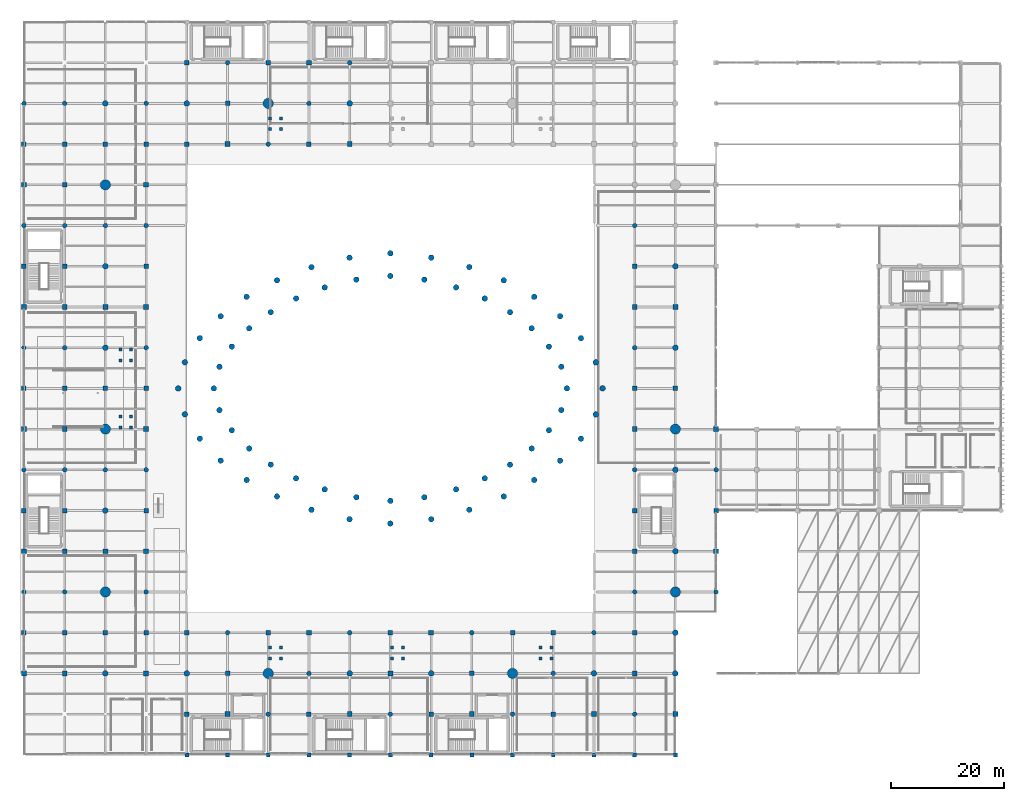
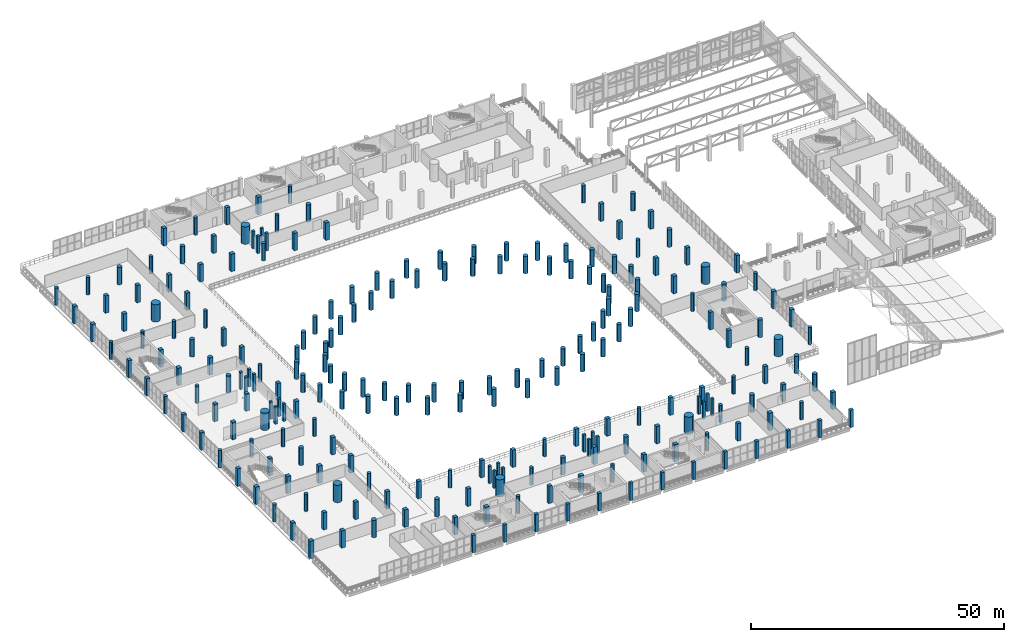
# One storey, part 1 of 153: 238 columns.
"""IFC4 building model written with IfcOpenShell, lengths in metres."""

from ifc_helpers import new_model, si_unit, direction, frame, origin, origin_2d, place, context, subcontext, project, spatial, rectangle, circle, extrude, material, material_profile, profile_set, type_object, element, save


model = new_model("IFC4")

# Units and contexts
model_context = context("Model", 3, precision=1e-05, world=origin(), true_north=direction((0.0, 1.0)))
body_context = subcontext(model_context, "Body", "Model", "MODEL_VIEW")
ifc_project = project(units=[si_unit("LENGTHUNIT", "METRE"), si_unit("AREAUNIT", "SQUARE_METRE"), si_unit("VOLUMEUNIT", "CUBIC_METRE"), si_unit("PLANEANGLEUNIT", "RADIAN"), si_unit("MASSUNIT", "GRAM", prefix="KILO")], contexts=[model_context])

# Site, building, storey
site_placement = place(None, origin())
site = spatial("IfcSite", under=ifc_project, at=site_placement, CompositionType="ELEMENT")
building_placement = place(site_placement, origin())
building = spatial("IfcBuilding", under=site, at=building_placement, Name="Qandorah Velis Arena", CompositionType="ELEMENT")
storey_placement = place(building_placement, frame((0.0, 0.0, 5.39990234375)))
storey = spatial("IfcBuildingStorey", under=building, at=storey_placement, Name="L01", CompositionType="ELEMENT", Elevation=5.39990234375)

# Columns
ifc_material_1 = material(Name="Concrete C50/60", Category="concrete")
ifc_material_profile_1 = material_profile(ifc_material_1, circle(Radius=0.89990234375, at=origin_2d()), Name="MC D1800")
ifc_profile_set_1 = profile_set([ifc_material_profile_1], Name="Concrete C50/60")
column_type_1 = type_object("IfcColumnType", Name="STR-COL-MC1800", PredefinedType="COLUMN", material=ifc_profile_set_1)
for number, where, z_axis, x_axis, name in (
    (1, (14.39990234375, 28.800048828125, 0.0), (0.0, 0.0, 1.0), (1.0, 0.0, 0.0), "Mega column MC1 (L01)"),
    (2, (14.39990234375, 57.60009765625, 0.0), (0.0, 0.0, 1.0), (1.0, 0.0, 0.0), "Mega column MC2 (L01)"),
    (3, (14.39990234375, 100.800048828125, 0.0), (0.0, 0.0, 1.0), (1.0, 0.0, 0.0), "Mega column MC3 (L01)"),
    (4, (43.199951171875, 14.39990234375, 0.0), (0.0, 0.0, 1.0), (1.0, 0.0, 0.0), "Mega column MC4 (L01)"),
    (5, (43.199951171875, 115.199951171875, 0.0), (0.0, 0.0, 1.0), (1.0, 0.0, 0.0), "Mega column MC6 (L01)"),
    (6, (86.39990234375, 14.39990234375, 0.0), (0.0, 0.0, 1.0), (1.0, 0.0, 0.0), "Mega column MC5 (L01)"),
    (7, (115.199951171875, 28.800048828125, 0.0), (0.0, 0.0, 1.0), (1.0, 0.0, 0.0), "Mega column MC8 (L01)"),
    (8, (115.199951171875, 57.60009765625, 0.0), (0.0, 0.0, 1.0), (1.0, 0.0, 0.0), "Mega column MC9 (L01)"),
):
    element("IfcColumn", number, at=place(storey_placement, frame(where, z_axis=z_axis, x_axis=x_axis)), inside=storey, type_object=column_type_1, Name=name, PredefinedType="COLUMN", context=body_context, shape_type="SweptSolid", body=[
        extrude(circle(Radius=0.89990234375, at=origin_2d()), origin(), (0.0, 0.0, 1.0), 4.2001953125),
    ])
ifc_material_2 = material(Name="Concrete C40/50", Category="concrete")
ifc_material_profile_2 = material_profile(ifc_material_2, rectangle(XDim=0.550048828125, YDim=0.550048828125, at=origin_2d()), Name="RC COL 550x550")
ifc_profile_set_2 = profile_set([ifc_material_profile_2], Name="Concrete C40/50")
column_type_2 = type_object("IfcColumnType", Name="STR-COL-RC550", PredefinedType="COLUMN", material=ifc_profile_set_2)
for number, where, z_axis, x_axis, name in (
    (9, (43.5, 17.050048828125, 0.0), (0.0, 0.0, 1.0), (1.0, 0.0, 0.0), "Vomitory VS9 L01 landing column 1"),
    (10, (45.449951171875, 17.050048828125, 0.0), (0.0, 0.0, 1.0), (1.0, 0.0, 0.0), "Vomitory VS9 L01 landing column 2"),
    (11, (43.5, 18.949951171875, 0.0), (0.0, 0.0, 1.0), (1.0, 0.0, 0.0), "Vomitory VS9 L01 landing column 3"),
    (12, (45.449951171875, 18.949951171875, 0.0), (0.0, 0.0, 1.0), (1.0, 0.0, 0.0), "Vomitory VS9 L01 landing column 4"),
    (13, (65.10009765625, 17.050048828125, 0.0), (0.0, 0.0, 1.0), (1.0, 0.0, 0.0), "Vomitory VS10 L01 landing column 1"),
    (14, (67.050048828125, 17.050048828125, 0.0), (0.0, 0.0, 1.0), (1.0, 0.0, 0.0), "Vomitory VS10 L01 landing column 2"),
    (15, (65.10009765625, 18.949951171875, 0.0), (0.0, 0.0, 1.0), (1.0, 0.0, 0.0), "Vomitory VS10 L01 landing column 3"),
    (16, (67.050048828125, 18.949951171875, 0.0), (0.0, 0.0, 1.0), (1.0, 0.0, 0.0), "Vomitory VS10 L01 landing column 4"),
    (17, (91.35009765625, 17.050048828125, 0.0), (0.0, 0.0, 1.0), (1.0, 0.0, 0.0), "Vomitory VS11 L01 landing column 1"),
    (18, (93.300048828125, 17.050048828125, 0.0), (0.0, 0.0, 1.0), (1.0, 0.0, 0.0), "Vomitory VS11 L01 landing column 2"),
    (19, (91.35009765625, 18.949951171875, 0.0), (0.0, 0.0, 1.0), (1.0, 0.0, 0.0), "Vomitory VS11 L01 landing column 3"),
    (20, (93.300048828125, 18.949951171875, 0.0), (0.0, 0.0, 1.0), (1.0, 0.0, 0.0), "Vomitory VS11 L01 landing column 4"),
    (21, (43.5, 110.64990234375, 0.0), (0.0, 0.0, 1.0), (1.0, 0.0, 0.0), "Vomitory VS12 L01 landing column 1"),
    (22, (45.449951171875, 110.64990234375, 0.0), (0.0, 0.0, 1.0), (1.0, 0.0, 0.0), "Vomitory VS12 L01 landing column 2"),
    (23, (43.5, 112.550048828125, 0.0), (0.0, 0.0, 1.0), (1.0, 0.0, 0.0), "Vomitory VS12 L01 landing column 3"),
    (24, (45.449951171875, 112.550048828125, 0.0), (0.0, 0.0, 1.0), (1.0, 0.0, 0.0), "Vomitory VS12 L01 landing column 4"),
    (25, (17.050048828125, 57.89990234375, 0.0), (0.0, 0.0, 1.0), (1.0, 0.0, 0.0), "Vomitory VS15 L01 landing column 1"),
    (26, (18.949951171875, 57.89990234375, 0.0), (0.0, 0.0, 1.0), (1.0, 0.0, 0.0), "Vomitory VS15 L01 landing column 2"),
    (27, (17.050048828125, 59.85009765625, 0.0), (0.0, 0.0, 1.0), (1.0, 0.0, 0.0), "Vomitory VS15 L01 landing column 3"),
    (28, (18.949951171875, 59.85009765625, 0.0), (0.0, 0.0, 1.0), (1.0, 0.0, 0.0), "Vomitory VS15 L01 landing column 4"),
    (29, (17.050048828125, 69.75, 0.0), (0.0, 0.0, 1.0), (1.0, 0.0, 0.0), "Vomitory VS16 L01 landing column 1"),
    (30, (18.949951171875, 69.75, 0.0), (0.0, 0.0, 1.0), (1.0, 0.0, 0.0), "Vomitory VS16 L01 landing column 2"),
    (31, (17.050048828125, 71.699951171875, 0.0), (0.0, 0.0, 1.0), (1.0, 0.0, 0.0), "Vomitory VS16 L01 landing column 3"),
    (32, (18.949951171875, 71.699951171875, 0.0), (0.0, 0.0, 1.0), (1.0, 0.0, 0.0), "Vomitory VS16 L01 landing column 4"),
):
    element("IfcColumn", number, at=place(storey_placement, frame(where, z_axis=z_axis, x_axis=x_axis)), inside=storey, type_object=column_type_2, Name=name, PredefinedType="COLUMN", context=body_context, shape_type="SweptSolid", body=[
        extrude(rectangle(XDim=0.550048828125, YDim=0.550048828125, at=origin_2d()), origin(), (0.0, 0.0, 1.0), 4.2001953125),
    ])
ifc_material_profile_3 = material_profile(ifc_material_2, rectangle(XDim=0.699951171875, YDim=0.699951171875, at=origin_2d()), Name="RC COL 700x700")
ifc_profile_set_3 = profile_set([ifc_material_profile_3], Name="Concrete C40/50")
column_type_3 = type_object("IfcColumnType", Name="STR-COL-RC700", PredefinedType="COLUMN", material=ifc_profile_set_3)
for number, where, z_axis, x_axis, name in (
    (33, (28.800048828125, 0.0, 0.0), (0.0, 0.0, 1.0), (1.0, 0.0, 0.0), "Structural column L01-060"),
    (34, (36.0, 0.0, 0.0), (0.0, 0.0, 1.0), (1.0, 0.0, 0.0), "Structural column L01-068"),
    (35, (43.199951171875, 0.0, 0.0), (0.0, 0.0, 1.0), (1.0, 0.0, 0.0), "Structural column L01-076"),
    (36, (50.39990234375, 0.0, 0.0), (0.0, 0.0, 1.0), (1.0, 0.0, 0.0), "Structural column L01-084"),
    (37, (57.60009765625, 0.0, 0.0), (0.0, 0.0, 1.0), (1.0, 0.0, 0.0), "Structural column L01-092"),
    (38, (64.800048828125, 0.0, 0.0), (0.0, 0.0, 1.0), (1.0, 0.0, 0.0), "Structural column L01-100"),
    (39, (72.0, 0.0, 0.0), (0.0, 0.0, 1.0), (1.0, 0.0, 0.0), "Structural column L01-108"),
    (40, (79.199951171875, 0.0, 0.0), (0.0, 0.0, 1.0), (1.0, 0.0, 0.0), "Structural column L01-116"),
    (41, (86.39990234375, 0.0, 0.0), (0.0, 0.0, 1.0), (1.0, 0.0, 0.0), "Structural column L01-124"),
    (42, (93.60009765625, 0.0, 0.0), (0.0, 0.0, 1.0), (1.0, 0.0, 0.0), "Structural column L01-132"),
    (43, (100.800048828125, 0.0, 0.0), (0.0, 0.0, 1.0), (1.0, 0.0, 0.0), "Structural column L01-140"),
    (44, (108.0, 0.0, 0.0), (0.0, 0.0, 1.0), (1.0, 0.0, 0.0), "Structural column L01-148"),
    (45, (115.199951171875, 0.0, 0.0), (0.0, 0.0, 1.0), (1.0, 0.0, 0.0), "Structural column L01-167"),
):
    element("IfcColumn", number, at=place(storey_placement, frame(where, z_axis=z_axis, x_axis=x_axis)), inside=storey, type_object=column_type_3, Name=name, PredefinedType="COLUMN", context=body_context, shape_type="SweptSolid", body=[
        extrude(rectangle(XDim=0.699951171875, YDim=0.699951171875, at=origin_2d()), origin(), (0.0, 0.0, 1.0), 4.2001953125),
    ])
ifc_material_profile_4 = material_profile(ifc_material_2, rectangle(XDim=0.800048828125, YDim=0.800048828125, at=origin_2d()), Name="RC COL 800x800")
ifc_profile_set_4 = profile_set([ifc_material_profile_4], Name="Concrete C40/50")
column_type_4 = type_object("IfcColumnType", Name="STR-COL-RC800", PredefinedType="COLUMN", material=ifc_profile_set_4)
for number, where, z_axis, x_axis, name in (
    (46, (0.0, 21.60009765625, 0.0), (0.0, 0.0, 1.0), (1.0, 0.0, 0.0), "Structural column L01-001"),
    (47, (0.0, 43.199951171875, 0.0), (0.0, 0.0, 1.0), (1.0, 0.0, 0.0), "Structural column L01-004"),
    (48, (0.0, 64.800048828125, 0.0), (0.0, 0.0, 1.0), (1.0, 0.0, 0.0), "Structural column L01-007"),
    (49, (0.0, 86.39990234375, 0.0), (0.0, 0.0, 1.0), (1.0, 0.0, 0.0), "Structural column L01-010"),
    (50, (0.0, 108.0, 0.0), (0.0, 0.0, 1.0), (1.0, 0.0, 0.0), "Structural column L01-013"),
    (51, (7.199951171875, 21.60009765625, 0.0), (0.0, 0.0, 1.0), (1.0, 0.0, 0.0), "Structural column L01-016"),
    (52, (7.199951171875, 43.199951171875, 0.0), (0.0, 0.0, 1.0), (1.0, 0.0, 0.0), "Structural column L01-019"),
    (53, (7.199951171875, 64.800048828125, 0.0), (0.0, 0.0, 1.0), (1.0, 0.0, 0.0), "Structural column L01-022"),
    (54, (7.199951171875, 86.39990234375, 0.0), (0.0, 0.0, 1.0), (1.0, 0.0, 0.0), "Structural column L01-025"),
    (55, (7.199951171875, 108.0, 0.0), (0.0, 0.0, 1.0), (1.0, 0.0, 0.0), "Structural column L01-028"),
    (56, (14.39990234375, 21.60009765625, 0.0), (0.0, 0.0, 1.0), (1.0, 0.0, 0.0), "Structural column L01-031"),
    (57, (14.39990234375, 64.800048828125, 0.0), (0.0, 0.0, 1.0), (1.0, 0.0, 0.0), "Structural column L01-037"),
    (58, (14.39990234375, 108.0, 0.0), (0.0, 0.0, 1.0), (1.0, 0.0, 0.0), "Structural column L01-043"),
    (59, (21.60009765625, 21.60009765625, 0.0), (0.0, 0.0, 1.0), (1.0, 0.0, 0.0), "Structural column L01-046"),
    (60, (21.60009765625, 43.199951171875, 0.0), (0.0, 0.0, 1.0), (1.0, 0.0, 0.0), "Structural column L01-049"),
    (61, (21.60009765625, 64.800048828125, 0.0), (0.0, 0.0, 1.0), (1.0, 0.0, 0.0), "Structural column L01-052"),
    (62, (21.60009765625, 86.39990234375, 0.0), (0.0, 0.0, 1.0), (1.0, 0.0, 0.0), "Structural column L01-055"),
    (63, (21.60009765625, 108.0, 0.0), (0.0, 0.0, 1.0), (1.0, 0.0, 0.0), "Structural column L01-058"),
    (64, (28.800048828125, 7.199951171875, 0.0), (0.0, 0.0, 1.0), (1.0, 0.0, 0.0), "Structural column L01-061"),
    (65, (28.800048828125, 108.0, 0.0), (0.0, 0.0, 1.0), (1.0, 0.0, 0.0), "Structural column L01-064"),
    (66, (36.0, 14.39990234375, 0.0), (0.0, 0.0, 1.0), (1.0, 0.0, 0.0), "Structural column L01-070"),
    (67, (36.0, 115.199951171875, 0.0), (0.0, 0.0, 1.0), (1.0, 0.0, 0.0), "Structural column L01-073"),
    (68, (43.199951171875, 21.60009765625, 0.0), (0.0, 0.0, 1.0), (1.0, 0.0, 0.0), "Structural column L01-079"),
    (69, (43.199951171875, 122.39990234375, 0.0), (0.0, 0.0, 1.0), (1.0, 0.0, 0.0), "Structural column L01-082"),
    (70, (50.39990234375, 7.199951171875, 0.0), (0.0, 0.0, 1.0), (1.0, 0.0, 0.0), "Structural column L01-085"),
    (71, (50.39990234375, 108.0, 0.0), (0.0, 0.0, 1.0), (1.0, 0.0, 0.0), "Structural column L01-088"),
    (72, (64.800048828125, 21.60009765625, 0.0), (0.0, 0.0, 1.0), (1.0, 0.0, 0.0), "Structural column L01-103"),
    (73, (72.0, 7.199951171875, 0.0), (0.0, 0.0, 1.0), (1.0, 0.0, 0.0), "Structural column L01-109"),
    (74, (79.199951171875, 14.39990234375, 0.0), (0.0, 0.0, 1.0), (1.0, 0.0, 0.0), "Structural column L01-118"),
    (75, (86.39990234375, 21.60009765625, 0.0), (0.0, 0.0, 1.0), (1.0, 0.0, 0.0), "Structural column L01-127"),
    (76, (93.60009765625, 7.199951171875, 0.0), (0.0, 0.0, 1.0), (1.0, 0.0, 0.0), "Structural column L01-133"),
    (77, (108.0, 21.60009765625, 0.0), (0.0, 0.0, 1.0), (1.0, 0.0, 0.0), "Structural column L01-151"),
    (78, (108.0, 43.199951171875, 0.0), (0.0, 0.0, 1.0), (1.0, 0.0, 0.0), "Structural column L01-154"),
    (79, (108.0, 64.800048828125, 0.0), (0.0, 0.0, 1.0), (1.0, 0.0, 0.0), "Structural column L01-157"),
    (80, (108.0, 86.39990234375, 0.0), (0.0, 0.0, 1.0), (1.0, 0.0, 0.0), "Structural column L01-160"),
    (81, (115.199951171875, 64.800048828125, 0.0), (0.0, 0.0, 1.0), (1.0, 0.0, 0.0), "Structural column L01-175"),
    (82, (122.39990234375, 43.199951171875, 0.0), (0.0, 0.0, 1.0), (1.0, 0.0, 0.0), "Structural column L01-187"),
):
    element("IfcColumn", number, at=place(storey_placement, frame(where, z_axis=z_axis, x_axis=x_axis)), inside=storey, type_object=column_type_4, Name=name, PredefinedType="COLUMN", context=body_context, shape_type="SweptSolid", body=[
        extrude(rectangle(XDim=0.800048828125, YDim=0.800048828125, at=origin_2d()), origin(), (0.0, 0.0, 1.0), 4.2001953125),
    ])
ifc_material_profile_5 = material_profile(ifc_material_2, rectangle(XDim=0.85009765625, YDim=0.85009765625, at=origin_2d()), Name="RC COL 850x850")
ifc_profile_set_5 = profile_set([ifc_material_profile_5], Name="Concrete C40/50")
column_type_5 = type_object("IfcColumnType", Name="STR-COL-RC850", PredefinedType="COLUMN", material=ifc_profile_set_5)
for number, where, z_axis, x_axis, name in (
    (83, (0.0, 14.39990234375, 0.0), (0.0, 0.0, 1.0), (1.0, 0.0, 0.0), "Structural column L01-000"),
    (84, (0.0, 36.0, 0.0), (0.0, 0.0, 1.0), (1.0, 0.0, 0.0), "Structural column L01-003"),
    (85, (0.0, 57.60009765625, 0.0), (0.0, 0.0, 1.0), (1.0, 0.0, 0.0), "Structural column L01-006"),
    (86, (0.0, 79.199951171875, 0.0), (0.0, 0.0, 1.0), (1.0, 0.0, 0.0), "Structural column L01-009"),
    (87, (0.0, 100.800048828125, 0.0), (0.0, 0.0, 1.0), (1.0, 0.0, 0.0), "Structural column L01-012"),
    (88, (7.199951171875, 14.39990234375, 0.0), (0.0, 0.0, 1.0), (1.0, 0.0, 0.0), "Structural column L01-015"),
    (89, (7.199951171875, 36.0, 0.0), (0.0, 0.0, 1.0), (1.0, 0.0, 0.0), "Structural column L01-018"),
    (90, (7.199951171875, 57.60009765625, 0.0), (0.0, 0.0, 1.0), (1.0, 0.0, 0.0), "Structural column L01-021"),
    (91, (7.199951171875, 79.199951171875, 0.0), (0.0, 0.0, 1.0), (1.0, 0.0, 0.0), "Structural column L01-024"),
    (92, (7.199951171875, 100.800048828125, 0.0), (0.0, 0.0, 1.0), (1.0, 0.0, 0.0), "Structural column L01-027"),
    (93, (14.39990234375, 36.0, 0.0), (0.0, 0.0, 1.0), (1.0, 0.0, 0.0), "Structural column L01-033"),
    (94, (14.39990234375, 79.199951171875, 0.0), (0.0, 0.0, 1.0), (1.0, 0.0, 0.0), "Structural column L01-039"),
    (95, (21.60009765625, 14.39990234375, 0.0), (0.0, 0.0, 1.0), (1.0, 0.0, 0.0), "Structural column L01-045"),
    (96, (21.60009765625, 36.0, 0.0), (0.0, 0.0, 1.0), (1.0, 0.0, 0.0), "Structural column L01-048"),
    (97, (21.60009765625, 57.60009765625, 0.0), (0.0, 0.0, 1.0), (1.0, 0.0, 0.0), "Structural column L01-051"),
    (98, (21.60009765625, 79.199951171875, 0.0), (0.0, 0.0, 1.0), (1.0, 0.0, 0.0), "Structural column L01-054"),
    (99, (21.60009765625, 100.800048828125, 0.0), (0.0, 0.0, 1.0), (1.0, 0.0, 0.0), "Structural column L01-057"),
    (100, (28.800048828125, 21.60009765625, 0.0), (0.0, 0.0, 1.0), (1.0, 0.0, 0.0), "Structural column L01-063"),
    (101, (28.800048828125, 122.39990234375, 0.0), (0.0, 0.0, 1.0), (1.0, 0.0, 0.0), "Structural column L01-066"),
    (102, (36.0, 7.199951171875, 0.0), (0.0, 0.0, 1.0), (1.0, 0.0, 0.0), "Structural column L01-069"),
    (103, (36.0, 108.0, 0.0), (0.0, 0.0, 1.0), (1.0, 0.0, 0.0), "Structural column L01-072"),
    (104, (50.39990234375, 21.60009765625, 0.0), (0.0, 0.0, 1.0), (1.0, 0.0, 0.0), "Structural column L01-087"),
    (105, (50.39990234375, 122.39990234375, 0.0), (0.0, 0.0, 1.0), (1.0, 0.0, 0.0), "Structural column L01-090"),
    (106, (57.60009765625, 7.199951171875, 0.0), (0.0, 0.0, 1.0), (1.0, 0.0, 0.0), "Structural column L01-093"),
    (107, (57.60009765625, 108.0, 0.0), (0.0, 0.0, 1.0), (1.0, 0.0, 0.0), "Structural column L01-096"),
    (108, (64.800048828125, 14.39990234375, 0.0), (0.0, 0.0, 1.0), (1.0, 0.0, 0.0), "Structural column L01-102"),
    (109, (72.0, 21.60009765625, 0.0), (0.0, 0.0, 1.0), (1.0, 0.0, 0.0), "Structural column L01-111"),
    (110, (79.199951171875, 7.199951171875, 0.0), (0.0, 0.0, 1.0), (1.0, 0.0, 0.0), "Structural column L01-117"),
    (111, (93.60009765625, 21.60009765625, 0.0), (0.0, 0.0, 1.0), (1.0, 0.0, 0.0), "Structural column L01-135"),
    (112, (100.800048828125, 7.199951171875, 0.0), (0.0, 0.0, 1.0), (1.0, 0.0, 0.0), "Structural column L01-141"),
    (113, (108.0, 14.39990234375, 0.0), (0.0, 0.0, 1.0), (1.0, 0.0, 0.0), "Structural column L01-150"),
    (114, (108.0, 36.0, 0.0), (0.0, 0.0, 1.0), (1.0, 0.0, 0.0), "Structural column L01-153"),
    (115, (108.0, 57.60009765625, 0.0), (0.0, 0.0, 1.0), (1.0, 0.0, 0.0), "Structural column L01-156"),
    (116, (108.0, 79.199951171875, 0.0), (0.0, 0.0, 1.0), (1.0, 0.0, 0.0), "Structural column L01-159"),
    (117, (115.199951171875, 7.199951171875, 0.0), (0.0, 0.0, 1.0), (1.0, 0.0, 0.0), "Structural column L01-168"),
    (118, (115.199951171875, 79.199951171875, 0.0), (0.0, 0.0, 1.0), (1.0, 0.0, 0.0), "Structural column L01-177"),
    (119, (122.39990234375, 36.0, 0.0), (0.0, 0.0, 1.0), (1.0, 0.0, 0.0), "Structural column L01-186"),
    (120, (122.39990234375, 57.60009765625, 0.0), (0.0, 0.0, 1.0), (1.0, 0.0, 0.0), "Structural column L01-189"),
):
    element("IfcColumn", number, at=place(storey_placement, frame(where, z_axis=z_axis, x_axis=x_axis)), inside=storey, type_object=column_type_5, Name=name, PredefinedType="COLUMN", context=body_context, shape_type="SweptSolid", body=[
        extrude(rectangle(XDim=0.85009765625, YDim=0.85009765625, at=origin_2d()), origin(), (0.0, 0.0, 1.0), 4.2001953125),
    ])
ifc_material_profile_6 = material_profile(ifc_material_2, circle(Radius=0.5, at=origin_2d()), Name="RC D1000")
ifc_profile_set_6 = profile_set([ifc_material_profile_6], Name="Concrete C40/50")
column_type_6 = type_object("IfcColumnType", Name="STR-COL-RCD1000", PredefinedType="COLUMN", material=ifc_profile_set_6)
for number, where, z_axis, x_axis, name in (
    (121, (14.39990234375, 14.39990234375, 0.0), (0.0, 0.0, 1.0), (1.0, 0.0, 0.0), "Bowl drum ring column L01-030"),
    (122, (14.39990234375, 43.199951171875, 0.0), (0.0, 0.0, 1.0), (1.0, 0.0, 0.0), "Bowl drum ring column L01-034"),
    (123, (14.39990234375, 72.0, 0.0), (0.0, 0.0, 1.0), (1.0, 0.0, 0.0), "Bowl drum ring column L01-038"),
    (124, (14.39990234375, 86.39990234375, 0.0), (0.0, 0.0, 1.0), (1.0, 0.0, 0.0), "Bowl drum ring column L01-040"),
    (125, (14.39990234375, 115.199951171875, 0.0), (0.0, 0.0, 1.0), (1.0, 0.0, 0.0), "Bowl drum ring column L01-044"),
    (126, (28.800048828125, 14.39990234375, 0.0), (0.0, 0.0, 1.0), (1.0, 0.0, 0.0), "Bowl drum ring column L01-062"),
    (127, (28.800048828125, 115.199951171875, 0.0), (0.0, 0.0, 1.0), (1.0, 0.0, 0.0), "Bowl drum ring column L01-065"),
    (128, (57.60009765625, 14.39990234375, 0.0), (0.0, 0.0, 1.0), (1.0, 0.0, 0.0), "Bowl drum ring column L01-094"),
    (129, (57.60009765625, 115.199951171875, 0.0), (0.0, 0.0, 1.0), (1.0, 0.0, 0.0), "Bowl drum ring column L01-097"),
    (130, (72.0, 14.39990234375, 0.0), (0.0, 0.0, 1.0), (1.0, 0.0, 0.0), "Bowl drum ring column L01-110"),
    (131, (100.800048828125, 14.39990234375, 0.0), (0.0, 0.0, 1.0), (1.0, 0.0, 0.0), "Bowl drum ring column L01-142"),
    (132, (115.199951171875, 14.39990234375, 0.0), (0.0, 0.0, 1.0), (1.0, 0.0, 0.0), "Bowl drum ring column L01-169"),
    (133, (115.199951171875, 21.60009765625, 0.0), (0.0, 0.0, 1.0), (1.0, 0.0, 0.0), "Bowl drum ring column L01-170"),
    (134, (115.199951171875, 36.0, 0.0), (0.0, 0.0, 1.0), (1.0, 0.0, 0.0), "Bowl drum ring column L01-172"),
    (135, (115.199951171875, 50.39990234375, 0.0), (0.0, 0.0, 1.0), (1.0, 0.0, 0.0), "Bowl drum ring column L01-173"),
    (136, (115.199951171875, 72.0, 0.0), (0.0, 0.0, 1.0), (1.0, 0.0, 0.0), "Bowl drum ring column L01-176"),
    (137, (115.199951171875, 86.39990234375, 0.0), (0.0, 0.0, 1.0), (1.0, 0.0, 0.0), "Bowl drum ring column L01-178"),
    (138, (96.02001953125, 64.800048828125, 0.0), (0.0, 0.0, 1.0), (1.0, 0.0, 0.0), "Upper raker fulcrum column L01 1.1"),
    (139, (102.320068359375, 64.800048828125, 0.0), (0.0, 0.0, 1.0), (1.0, 0.0, 0.0), "Outer bowl raker column L01 1.1"),
    (140, (95.02587890625, 68.62841796875, 0.0), (0.0, 0.0, 1.0), (1.0, 0.0, 0.0), "Upper raker fulcrum column L01 1.2"),
    (141, (101.12548828125, 69.40087890625, 0.0), (0.0, 0.0, 1.0), (1.0, 0.0, 0.0), "Outer bowl raker column L01 1.2"),
    (142, (92.840087890625, 72.195556640625, 0.0), (0.0, 0.0, 1.0), (1.0, 0.0, 0.0), "Upper raker fulcrum column L01 2.1"),
    (143, (98.498291015625, 73.68798828125, 0.0), (0.0, 0.0, 1.0), (1.0, 0.0, 0.0), "Outer bowl raker column L01 2.1"),
    (144, (89.772216796875, 75.4248046875, 0.0), (0.0, 0.0, 1.0), (1.0, 0.0, 0.0), "Upper raker fulcrum column L01 2.2"),
    (145, (94.8115234375, 77.56884765625, 0.0), (0.0, 0.0, 1.0), (1.0, 0.0, 0.0), "Outer bowl raker column L01 2.2"),
    (146, (85.959716796875, 78.2734375, 0.0), (0.0, 0.0, 1.0), (1.0, 0.0, 0.0), "Upper raker fulcrum column L01 3.1"),
    (147, (90.229736328125, 80.992431640625, 0.0), (0.0, 0.0, 1.0), (1.0, 0.0, 0.0), "Outer bowl raker column L01 3.1"),
    (148, (81.486083984375, 80.701171875, 0.0), (0.0, 0.0, 1.0), (1.0, 0.0, 0.0), "Upper raker fulcrum column L01 3.2"),
    (149, (84.85302734375, 83.909912109375, 0.0), (0.0, 0.0, 1.0), (1.0, 0.0, 0.0), "Outer bowl raker column L01 3.2"),
    (150, (76.41455078125, 82.654541015625, 0.0), (0.0, 0.0, 1.0), (1.0, 0.0, 0.0), "Upper raker fulcrum column L01 4.1"),
    (151, (78.75830078125, 86.25732421875, 0.0), (0.0, 0.0, 1.0), (1.0, 0.0, 0.0), "Outer bowl raker column L01 4.1"),
    (152, (70.812255859375, 84.04638671875, 0.0), (0.0, 0.0, 1.0), (1.0, 0.0, 0.0), "Upper raker fulcrum column L01 4.2"),
    (153, (72.025634765625, 87.930419921875, 0.0), (0.0, 0.0, 1.0), (1.0, 0.0, 0.0), "Outer bowl raker column L01 4.2"),
    (154, (64.800048828125, 84.679443359375, 0.0), (0.0, 0.0, 1.0), (1.0, 0.0, 0.0), "Upper raker fulcrum column L01 5.1"),
    (155, (64.800048828125, 88.69091796875, 0.0), (0.0, 0.0, 1.0), (1.0, 0.0, 0.0), "Outer bowl raker column L01 5.1"),
    (156, (58.78759765625, 84.04638671875, 0.0), (0.0, 0.0, 1.0), (1.0, 0.0, 0.0), "Upper raker fulcrum column L01 5.2"),
    (157, (57.574462890625, 87.930419921875, 0.0), (0.0, 0.0, 1.0), (1.0, 0.0, 0.0), "Outer bowl raker column L01 5.2"),
    (158, (53.185546875, 82.654541015625, 0.0), (0.0, 0.0, 1.0), (1.0, 0.0, 0.0), "Upper raker fulcrum column L01 6.1"),
    (159, (50.841796875, 86.25732421875, 0.0), (0.0, 0.0, 1.0), (1.0, 0.0, 0.0), "Outer bowl raker column L01 6.1"),
    (160, (48.114013671875, 80.701171875, 0.0), (0.0, 0.0, 1.0), (1.0, 0.0, 0.0), "Upper raker fulcrum column L01 6.2"),
    (161, (44.746826171875, 83.909912109375, 0.0), (0.0, 0.0, 1.0), (1.0, 0.0, 0.0), "Outer bowl raker column L01 6.2"),
    (162, (43.64013671875, 78.2734375, 0.0), (0.0, 0.0, 1.0), (1.0, 0.0, 0.0), "Upper raker fulcrum column L01 7.1"),
    (163, (39.370361328125, 80.992431640625, 0.0), (0.0, 0.0, 1.0), (1.0, 0.0, 0.0), "Outer bowl raker column L01 7.1"),
    (164, (39.82763671875, 75.4248046875, 0.0), (0.0, 0.0, 1.0), (1.0, 0.0, 0.0), "Upper raker fulcrum column L01 7.2"),
    (165, (34.788330078125, 77.56884765625, 0.0), (0.0, 0.0, 1.0), (1.0, 0.0, 0.0), "Outer bowl raker column L01 7.2"),
    (166, (36.760009765625, 72.195556640625, 0.0), (0.0, 0.0, 1.0), (1.0, 0.0, 0.0), "Upper raker fulcrum column L01 8.1"),
    (167, (31.101806640625, 73.68798828125, 0.0), (0.0, 0.0, 1.0), (1.0, 0.0, 0.0), "Outer bowl raker column L01 8.1"),
    (168, (34.573974609375, 68.62841796875, 0.0), (0.0, 0.0, 1.0), (1.0, 0.0, 0.0), "Upper raker fulcrum column L01 8.2"),
    (169, (28.474609375, 69.40087890625, 0.0), (0.0, 0.0, 1.0), (1.0, 0.0, 0.0), "Outer bowl raker column L01 8.2"),
    (170, (33.580078125, 64.800048828125, 0.0), (0.0, 0.0, 1.0), (1.0, 0.0, 0.0), "Upper raker fulcrum column L01 9.1"),
    (171, (27.280029296875, 64.800048828125, 0.0), (0.0, 0.0, 1.0), (1.0, 0.0, 0.0), "Outer bowl raker column L01 9.1"),
    (172, (34.573974609375, 60.9716796875, 0.0), (0.0, 0.0, 1.0), (1.0, 0.0, 0.0), "Upper raker fulcrum column L01 9.2"),
    (173, (28.474609375, 60.19921875, 0.0), (0.0, 0.0, 1.0), (1.0, 0.0, 0.0), "Outer bowl raker column L01 9.2"),
    (174, (36.760009765625, 57.404296875, 0.0), (0.0, 0.0, 1.0), (1.0, 0.0, 0.0), "Upper raker fulcrum column L01 10.1"),
    (175, (31.101806640625, 55.912109375, 0.0), (0.0, 0.0, 1.0), (1.0, 0.0, 0.0), "Outer bowl raker column L01 10.1"),
    (176, (39.82763671875, 54.17529296875, 0.0), (0.0, 0.0, 1.0), (1.0, 0.0, 0.0), "Upper raker fulcrum column L01 10.2"),
    (177, (34.788330078125, 52.03125, 0.0), (0.0, 0.0, 1.0), (1.0, 0.0, 0.0), "Outer bowl raker column L01 10.2"),
    (178, (43.64013671875, 51.326416015625, 0.0), (0.0, 0.0, 1.0), (1.0, 0.0, 0.0), "Upper raker fulcrum column L01 11.1"),
    (179, (39.370361328125, 48.607666015625, 0.0), (0.0, 0.0, 1.0), (1.0, 0.0, 0.0), "Outer bowl raker column L01 11.1"),
    (180, (48.114013671875, 48.898681640625, 0.0), (0.0, 0.0, 1.0), (1.0, 0.0, 0.0), "Upper raker fulcrum column L01 11.2"),
    (181, (44.746826171875, 45.690185546875, 0.0), (0.0, 0.0, 1.0), (1.0, 0.0, 0.0), "Outer bowl raker column L01 11.2"),
    (182, (53.185546875, 46.945556640625, 0.0), (0.0, 0.0, 1.0), (1.0, 0.0, 0.0), "Upper raker fulcrum column L01 12.1"),
    (183, (50.841796875, 43.342529296875, 0.0), (0.0, 0.0, 1.0), (1.0, 0.0, 0.0), "Outer bowl raker column L01 12.1"),
    (184, (58.78759765625, 45.553466796875, 0.0), (0.0, 0.0, 1.0), (1.0, 0.0, 0.0), "Upper raker fulcrum column L01 12.2"),
    (185, (57.574462890625, 41.669677734375, 0.0), (0.0, 0.0, 1.0), (1.0, 0.0, 0.0), "Outer bowl raker column L01 12.2"),
    (186, (64.800048828125, 44.920654296875, 0.0), (0.0, 0.0, 1.0), (1.0, 0.0, 0.0), "Upper raker fulcrum column L01 13.1"),
    (187, (64.800048828125, 40.9091796875, 0.0), (0.0, 0.0, 1.0), (1.0, 0.0, 0.0), "Outer bowl raker column L01 13.1"),
    (188, (70.812255859375, 45.553466796875, 0.0), (0.0, 0.0, 1.0), (1.0, 0.0, 0.0), "Upper raker fulcrum column L01 13.2"),
    (189, (72.025634765625, 41.669677734375, 0.0), (0.0, 0.0, 1.0), (1.0, 0.0, 0.0), "Outer bowl raker column L01 13.2"),
    (190, (76.41455078125, 46.945556640625, 0.0), (0.0, 0.0, 1.0), (1.0, 0.0, 0.0), "Upper raker fulcrum column L01 14.1"),
    (191, (78.75830078125, 43.342529296875, 0.0), (0.0, 0.0, 1.0), (1.0, 0.0, 0.0), "Outer bowl raker column L01 14.1"),
    (192, (81.486083984375, 48.898681640625, 0.0), (0.0, 0.0, 1.0), (1.0, 0.0, 0.0), "Upper raker fulcrum column L01 14.2"),
    (193, (84.85302734375, 45.690185546875, 0.0), (0.0, 0.0, 1.0), (1.0, 0.0, 0.0), "Outer bowl raker column L01 14.2"),
    (194, (85.959716796875, 51.326416015625, 0.0), (0.0, 0.0, 1.0), (1.0, 0.0, 0.0), "Upper raker fulcrum column L01 15.1"),
    (195, (90.229736328125, 48.607666015625, 0.0), (0.0, 0.0, 1.0), (1.0, 0.0, 0.0), "Outer bowl raker column L01 15.1"),
    (196, (89.772216796875, 54.17529296875, 0.0), (0.0, 0.0, 1.0), (1.0, 0.0, 0.0), "Upper raker fulcrum column L01 15.2"),
    (197, (94.8115234375, 52.03125, 0.0), (0.0, 0.0, 1.0), (1.0, 0.0, 0.0), "Outer bowl raker column L01 15.2"),
    (198, (92.840087890625, 57.404296875, 0.0), (0.0, 0.0, 1.0), (1.0, 0.0, 0.0), "Upper raker fulcrum column L01 16.1"),
    (199, (98.498291015625, 55.912109375, 0.0), (0.0, 0.0, 1.0), (1.0, 0.0, 0.0), "Outer bowl raker column L01 16.1"),
    (200, (95.02587890625, 60.9716796875, 0.0), (0.0, 0.0, 1.0), (1.0, 0.0, 0.0), "Upper raker fulcrum column L01 16.2"),
    (201, (101.12548828125, 60.19921875, 0.0), (0.0, 0.0, 1.0), (1.0, 0.0, 0.0), "Outer bowl raker column L01 16.2"),
):
    element("IfcColumn", number, at=place(storey_placement, frame(where, z_axis=z_axis, x_axis=x_axis)), inside=storey, type_object=column_type_6, Name=name, PredefinedType="COLUMN", context=body_context, shape_type="SweptSolid", body=[
        extrude(circle(Radius=0.5, at=origin_2d()), origin(), (0.0, 0.0, 1.0), 4.2001953125),
    ])
ifc_material_profile_7 = material_profile(ifc_material_2, circle(Radius=0.39990234375, at=origin_2d()), Name="RC D800")
ifc_profile_set_7 = profile_set([ifc_material_profile_7], Name="Concrete C40/50")
column_type_7 = type_object("IfcColumnType", Name="STR-COL-RCD800", PredefinedType="COLUMN", material=ifc_profile_set_7)
for number, where, z_axis, x_axis, name in (
    (202, (0.0, 28.800048828125, 0.0), (0.0, 0.0, 1.0), (1.0, 0.0, 0.0), "Structural column L01-002"),
    (203, (0.0, 50.39990234375, 0.0), (0.0, 0.0, 1.0), (1.0, 0.0, 0.0), "Structural column L01-005"),
    (204, (0.0, 72.0, 0.0), (0.0, 0.0, 1.0), (1.0, 0.0, 0.0), "Structural column L01-008"),
    (205, (0.0, 93.60009765625, 0.0), (0.0, 0.0, 1.0), (1.0, 0.0, 0.0), "Structural column L01-011"),
    (206, (0.0, 115.199951171875, 0.0), (0.0, 0.0, 1.0), (1.0, 0.0, 0.0), "Structural column L01-014"),
    (207, (7.199951171875, 28.800048828125, 0.0), (0.0, 0.0, 1.0), (1.0, 0.0, 0.0), "Structural column L01-017"),
    (208, (7.199951171875, 50.39990234375, 0.0), (0.0, 0.0, 1.0), (1.0, 0.0, 0.0), "Structural column L01-020"),
    (209, (7.199951171875, 72.0, 0.0), (0.0, 0.0, 1.0), (1.0, 0.0, 0.0), "Structural column L01-023"),
    (210, (7.199951171875, 93.60009765625, 0.0), (0.0, 0.0, 1.0), (1.0, 0.0, 0.0), "Structural column L01-026"),
    (211, (7.199951171875, 115.199951171875, 0.0), (0.0, 0.0, 1.0), (1.0, 0.0, 0.0), "Structural column L01-029"),
    (212, (14.39990234375, 50.39990234375, 0.0), (0.0, 0.0, 1.0), (1.0, 0.0, 0.0), "Structural column L01-035"),
    (213, (14.39990234375, 93.60009765625, 0.0), (0.0, 0.0, 1.0), (1.0, 0.0, 0.0), "Structural column L01-041"),
    (214, (21.60009765625, 28.800048828125, 0.0), (0.0, 0.0, 1.0), (1.0, 0.0, 0.0), "Structural column L01-047"),
    (215, (21.60009765625, 50.39990234375, 0.0), (0.0, 0.0, 1.0), (1.0, 0.0, 0.0), "Structural column L01-050"),
    (216, (21.60009765625, 72.0, 0.0), (0.0, 0.0, 1.0), (1.0, 0.0, 0.0), "Structural column L01-053"),
    (217, (21.60009765625, 93.60009765625, 0.0), (0.0, 0.0, 1.0), (1.0, 0.0, 0.0), "Structural column L01-056"),
    (218, (21.60009765625, 115.199951171875, 0.0), (0.0, 0.0, 1.0), (1.0, 0.0, 0.0), "Structural column L01-059"),
    (219, (36.0, 21.60009765625, 0.0), (0.0, 0.0, 1.0), (1.0, 0.0, 0.0), "Structural column L01-071"),
    (220, (36.0, 122.39990234375, 0.0), (0.0, 0.0, 1.0), (1.0, 0.0, 0.0), "Structural column L01-074"),
    (221, (43.199951171875, 7.199951171875, 0.0), (0.0, 0.0, 1.0), (1.0, 0.0, 0.0), "Structural column L01-077"),
    (222, (43.199951171875, 108.0, 0.0), (0.0, 0.0, 1.0), (1.0, 0.0, 0.0), "Structural column L01-080"),
    (223, (50.39990234375, 14.39990234375, 0.0), (0.0, 0.0, 1.0), (1.0, 0.0, 0.0), "Structural column L01-086"),
    (224, (50.39990234375, 115.199951171875, 0.0), (0.0, 0.0, 1.0), (1.0, 0.0, 0.0), "Structural column L01-089"),
    (225, (57.60009765625, 21.60009765625, 0.0), (0.0, 0.0, 1.0), (1.0, 0.0, 0.0), "Structural column L01-095"),
    (226, (57.60009765625, 122.39990234375, 0.0), (0.0, 0.0, 1.0), (1.0, 0.0, 0.0), "Structural column L01-098"),
    (227, (64.800048828125, 7.199951171875, 0.0), (0.0, 0.0, 1.0), (1.0, 0.0, 0.0), "Structural column L01-101"),
    (228, (79.199951171875, 21.60009765625, 0.0), (0.0, 0.0, 1.0), (1.0, 0.0, 0.0), "Structural column L01-119"),
    (229, (86.39990234375, 7.199951171875, 0.0), (0.0, 0.0, 1.0), (1.0, 0.0, 0.0), "Structural column L01-125"),
    (230, (93.60009765625, 14.39990234375, 0.0), (0.0, 0.0, 1.0), (1.0, 0.0, 0.0), "Structural column L01-134"),
    (231, (100.800048828125, 21.60009765625, 0.0), (0.0, 0.0, 1.0), (1.0, 0.0, 0.0), "Structural column L01-143"),
    (232, (108.0, 7.199951171875, 0.0), (0.0, 0.0, 1.0), (1.0, 0.0, 0.0), "Structural column L01-149"),
    (233, (108.0, 28.800048828125, 0.0), (0.0, 0.0, 1.0), (1.0, 0.0, 0.0), "Structural column L01-152"),
    (234, (108.0, 50.39990234375, 0.0), (0.0, 0.0, 1.0), (1.0, 0.0, 0.0), "Structural column L01-155"),
    (235, (108.0, 72.0, 0.0), (0.0, 0.0, 1.0), (1.0, 0.0, 0.0), "Structural column L01-158"),
    (236, (108.0, 93.60009765625, 0.0), (0.0, 0.0, 1.0), (1.0, 0.0, 0.0), "Structural column L01-161"),
    (237, (122.39990234375, 28.800048828125, 0.0), (0.0, 0.0, 1.0), (1.0, 0.0, 0.0), "Structural column L01-185"),
    (238, (122.39990234375, 50.39990234375, 0.0), (0.0, 0.0, 1.0), (1.0, 0.0, 0.0), "Structural column L01-188"),
):
    element("IfcColumn", number, at=place(storey_placement, frame(where, z_axis=z_axis, x_axis=x_axis)), inside=storey, type_object=column_type_7, Name=name, PredefinedType="COLUMN", context=body_context, shape_type="SweptSolid", body=[
        extrude(circle(Radius=0.39990234375, at=origin_2d()), origin(), (0.0, 0.0, 1.0), 4.2001953125),
    ])

save(model, "model.ifc")
